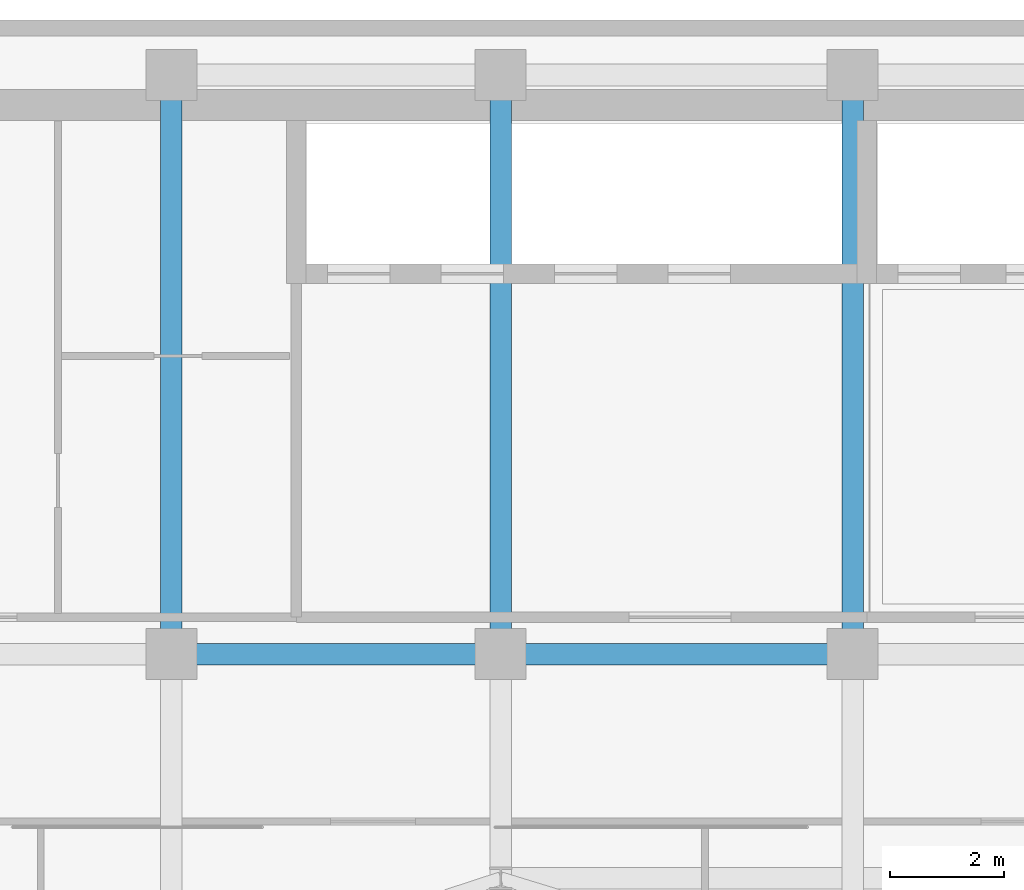
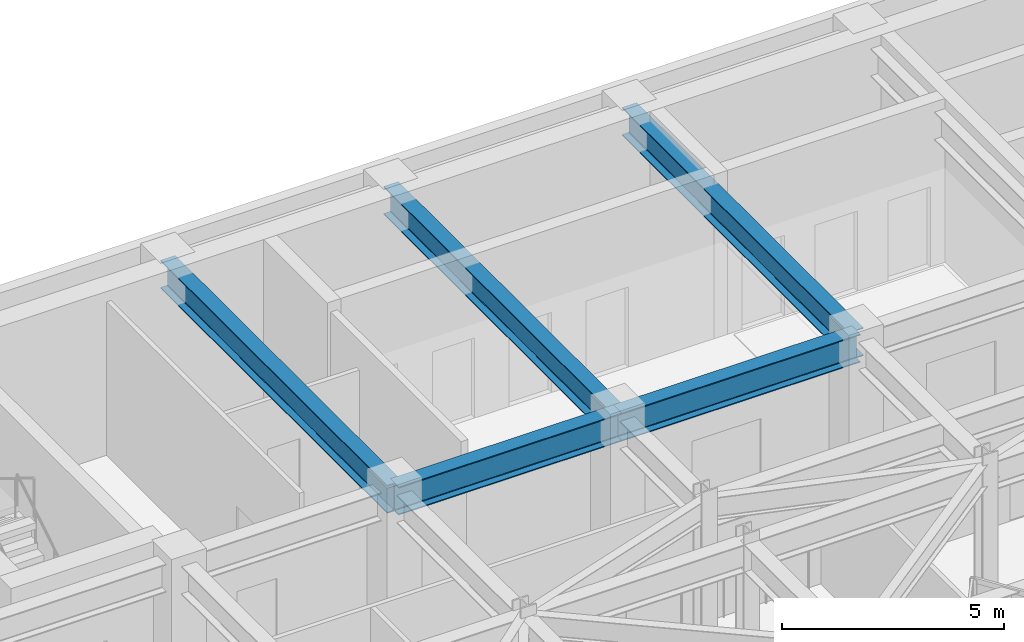
# One storey, part 13 of 25: 5 beams.
"""IFC4 building model written with IfcOpenShell, lengths in metres."""

import ifcopenshell
import ifcopenshell.guid

model = None  # the IFC model being written
_history = None  # IfcOwnerHistory: only IFC2X3 demands one
_inside = {}  # id of a spatial element -> (the spatial element, [elements in it])
_under = {}  # id of a project, library or spatial element -> (it, [spatial elements below it])
_declared = {}  # id of a project -> (the project, [libraries it declares])
_typed = {}  # id of a type object -> (the type object, [elements of that type])
_made_of = {}  # id of a material, layer set ... -> (it, [elements and type objects made of it])


def new_model(schema):
    """Start an empty IFC model of exactly this schema.

    Asked for "IFC4X3", IfcOpenShell would pick the latest addendum, in which some entities
    have other attributes; the version numbers below select the first issue.
    IFC2X3 requires an IfcOwnerHistory on every rooted entity: one is made here for all.
    """
    global model, _history
    if schema == "IFC4X3":
        model = ifcopenshell.file(schema_version=(4, 3, 0, 0))
    else:
        model = ifcopenshell.file(schema=schema)
    _inside.clear()
    _under.clear()
    _declared.clear()
    _typed.clear()
    _made_of.clear()
    _history = None
    if model.schema == "IFC2X3":
        org = make("IfcOrganization", Name="unknown")
        user = make(
            "IfcPersonAndOrganization",
            ThePerson=make("IfcPerson", FamilyName="unknown"),
            TheOrganization=org,
        )
        app = make(
            "IfcApplication",
            ApplicationDeveloper=org,
            Version="unknown",
            ApplicationFullName="unknown",
            ApplicationIdentifier="unknown",
        )
        _history = make(
            "IfcOwnerHistory",
            OwningUser=user,
            OwningApplication=app,
            ChangeAction="ADDED",
            CreationDate=0,
        )
    return model


def make(cls, **values):
    """One entity of the class cls with the attributes given. An attribute that is None is left unset."""
    return model.create_entity(
        cls, **{name: value for name, value in values.items() if value is not None}
    )


def rooted(cls, **values):
    """An entity with a GlobalId (a new one), such as an element, a storey or a relation."""
    return make(cls, GlobalId=ifcopenshell.guid.new(), OwnerHistory=_history, **values)


def si_unit(unit_type, name, prefix=None):
    """IfcSIUnit, for example si_unit("LENGTHUNIT", "METRE", prefix="MILLI")."""
    return make("IfcSIUnit", UnitType=unit_type, Prefix=prefix, Name=name)


def assignment(units):
    """IfcUnitAssignment: the units of a project."""
    return None if units is None else make("IfcUnitAssignment", Units=units)


def point(xyz):
    """IfcCartesianPoint."""
    return None if xyz is None else make("IfcCartesianPoint", Coordinates=xyz)


def direction(xyz):
    """IfcDirection."""
    return None if xyz is None else make("IfcDirection", DirectionRatios=xyz)


def frame(location, z_axis=None, x_axis=None):
    """IfcAxis2Placement3D, a coordinate frame: its origin and axes. An axis left out is left unset."""
    return make(
        "IfcAxis2Placement3D",
        Location=point(location),
        Axis=direction(z_axis),
        RefDirection=direction(x_axis),
    )


def frame_2d(location, x_axis=None):
    """IfcAxis2Placement2D, a coordinate frame in the plane: its origin and x axis."""
    return make(
        "IfcAxis2Placement2D", Location=point(location), RefDirection=direction(x_axis)
    )


def origin():
    """The frame at (0, 0, 0) with its axes left unset."""
    return frame((0.0, 0.0, 0.0))


def origin_2d():
    """The frame at (0, 0) in the plane with its x axis left unset."""
    return frame_2d((0.0, 0.0))


def place(relative_to, where):
    """IfcLocalPlacement: puts the frame where relative to a parent placement (None: the world)."""
    return make(
        "IfcLocalPlacement", PlacementRelTo=relative_to, RelativePlacement=where
    )


def context(
    kind, dimensions, precision=None, world=None, true_north=None, identifier=None
):
    """IfcGeometricRepresentationContext, for example the 3D "Model" context."""
    return make(
        "IfcGeometricRepresentationContext",
        ContextIdentifier=identifier,
        ContextType=kind,
        CoordinateSpaceDimension=dimensions,
        Precision=precision,
        WorldCoordinateSystem=world,
        TrueNorth=true_north,
    )


def subcontext(parent, identifier, kind, view, scale=None):
    """IfcGeometricRepresentationSubContext, for example "Body" below "Model"."""
    return make(
        "IfcGeometricRepresentationSubContext",
        ContextIdentifier=identifier,
        ContextType=kind,
        ParentContext=parent,
        TargetScale=scale,
        TargetView=view,
    )


def project(units=None, contexts=None):
    """IfcProject with its units and contexts."""
    return rooted(
        "IfcProject",
        Name="project",
        RepresentationContexts=contexts,
        UnitsInContext=assignment(units),
    )


def spatial(cls, under=None, at=None, **own):
    """A site, building, storey or space (cls), placed at a placement, below another one or the project."""
    s = rooted(cls, ObjectPlacement=at, **own)
    if under is not None:
        _under.setdefault(under.id(), (under, []))[1].append(s)
    return s


def profile(cls, at=None, kind="AREA", **sizes):
    """A parametric profile (cls). Its sizes go by their IFC names, for example OverallWidth=200.0."""
    return make(cls, ProfileType=kind, Position=at, **sizes)


def i_section(**sizes):
    """IfcIShapeProfileDef."""
    return profile("IfcIShapeProfileDef", **sizes)


def extrude(swept, where, along, depth):
    """IfcExtrudedAreaSolid: the profile swept, set in the frame where, extruded along a direction by depth."""
    return make(
        "IfcExtrudedAreaSolid",
        SweptArea=swept,
        Position=where,
        ExtrudedDirection=direction(along),
        Depth=depth,
    )


def shape(context_of_items, identifier, shape_type, items):
    """IfcShapeRepresentation: the items that make up one representation, for example the "Body"."""
    return make(
        "IfcShapeRepresentation",
        ContextOfItems=context_of_items,
        RepresentationIdentifier=identifier,
        RepresentationType=shape_type,
        Items=items,
    )


def material(Name=None, Category=None):
    """IfcMaterial."""
    return make("IfcMaterial", Name=Name, Category=Category)


def material_profile(
    of_material, cross_section, Name=None, Category=None, Priority=None
):
    """IfcMaterialProfile: a cross section and its material."""
    return make(
        "IfcMaterialProfile",
        Name=Name,
        Material=of_material,
        Profile=cross_section,
        Priority=Priority,
        Category=Category,
    )


def profile_set(profiles, Name=None, composite=None):
    """IfcMaterialProfileSet."""
    return make(
        "IfcMaterialProfileSet",
        Name=Name,
        MaterialProfiles=profiles,
        CompositeProfile=composite,
    )


def made_of(thing, what):
    """Note that an element or type object is made of a material, layer set ...; save() writes the relation."""
    if what is not None:
        _made_of.setdefault(what.id(), (what, []))[1].append(thing)
    return thing


def type_object(cls, material=None, **own):
    """A type object (cls), such as IfcWallType, which elements share."""
    return made_of(rooted(cls, **own), material)


def element(
    cls,
    number,
    at=None,
    inside=None,
    cuts=None,
    type_object=None,
    material=None,
    context=None,
    identifier="Body",
    shape_type=None,
    held_by="IfcProductDefinitionShape",
    body=None,
    shapes=None,
    **own,
):
    """One element of the class cls, such as IfcWall. Its Tag is "e" and its number.

    at: its placement. inside: the storey or other place that contains it. cuts: it is an
    opening in that element (IfcRelVoidsElement). A single representation is given by context,
    identifier, shape_type and body (its items); several are given by shapes. held_by: the class
    of the entity that holds the representations. save() writes the other relations.
    """
    e = rooted(cls, Tag="e%d" % number, ObjectPlacement=at, **own)
    if body is not None:
        shapes = [shape(context, identifier, shape_type, body)]
    if shapes is not None:
        e.Representation = make(held_by, Representations=shapes)
    if inside is not None:
        _inside.setdefault(inside.id(), (inside, []))[1].append(e)
    if cuts is not None:
        rooted(
            "IfcRelVoidsElement", RelatingBuildingElement=cuts, RelatedOpeningElement=e
        )
    if type_object is not None:
        _typed.setdefault(type_object.id(), (type_object, []))[1].append(e)
    return made_of(e, material)


def aggregate(whole, parts):
    """IfcRelAggregates: a whole, such as a stair, and the parts it consists of."""
    return rooted("IfcRelAggregates", RelatingObject=whole, RelatedObjects=parts)


def save(model, path):
    """Write the relations noted so far, then the file.

    IfcRelAggregates (storeys below a building ...), IfcRelContainedInSpatialStructure (elements
    in a storey), IfcRelDefinesByType, IfcRelAssociatesMaterial and IfcRelDeclares: one each for
    every whole, place, type object, material and project.
    """
    for whole, parts in _under.values():
        aggregate(whole, parts)
    for where, things in _inside.values():
        rooted(
            "IfcRelContainedInSpatialStructure",
            RelatedElements=things,
            RelatingStructure=where,
        )
    for kind, things in _typed.values():
        rooted("IfcRelDefinesByType", RelatedObjects=things, RelatingType=kind)
    for what, things in _made_of.values():
        rooted("IfcRelAssociatesMaterial", RelatedObjects=things, RelatingMaterial=what)
    for by, libraries in _declared.values():
        rooted("IfcRelDeclares", RelatingContext=by, RelatedDefinitions=libraries)
    model.write(path)


model = new_model("IFC4")

# Units and contexts
model_context = context("Model", 3, precision=1e-05, world=origin(), true_north=direction((0.0, 1.0)))
body_context = subcontext(model_context, "Body", "Model", "MODEL_VIEW")
ifc_project = project(units=[si_unit("LENGTHUNIT", "METRE"), si_unit("AREAUNIT", "SQUARE_METRE"), si_unit("VOLUMEUNIT", "CUBIC_METRE"), si_unit("PLANEANGLEUNIT", "RADIAN"), si_unit("MASSUNIT", "GRAM", prefix="KILO")], contexts=[model_context])

# Site, building, storey
site_placement = place(None, origin())
site = spatial("IfcSite", under=ifc_project, at=site_placement, CompositionType="ELEMENT")
building_placement = place(site_placement, origin())
building = spatial("IfcBuilding", under=site, at=building_placement, Name="Kravanh Interchange Tower", CompositionType="ELEMENT")
storey_placement = place(building_placement, frame((0.0, 0.0, 220.5)))
storey = spatial("IfcBuildingStorey", under=building, at=storey_placement, Name="L53", CompositionType="ELEMENT", Elevation=220.5)

# Beams
ifc_material = material(Name="Structural Steel S355", Category="steel")
ifc_material_profile = material_profile(ifc_material, i_section(OverallWidth=0.381103515625, OverallDepth=0.77294921875, WebThickness=0.0166015625, FlangeThickness=0.027099609375, FilletRadius=0.02490234375, at=origin_2d()), Name="W30X173")
ifc_profile_set = profile_set([ifc_material_profile], Name="Structural Steel S355")
beam_type = type_object("IfcBeamType", Name="Floor Beam W30X173 Structural Steel S355", PredefinedType="BEAM", material=ifc_profile_set)
beam_1_placement = place(storey_placement, frame((44.800048828125, 37.35009765625, 3.83349609375), z_axis=(-1.0, 0.0, 0.0), x_axis=(0.0, -1.0, 0.0)))
element("IfcBeam", 1, at=beam_1_placement, inside=storey, type_object=beam_type, Name="L53 Primary Floor Girder 13", PredefinedType="BEAM", context=body_context, shape_type="SweptSolid", body=[
    extrude(i_section(OverallWidth=0.381103515625, OverallDepth=0.77294921875, WebThickness=0.0166015625, FlangeThickness=0.027099609375, FilletRadius=0.02490234375, at=origin_2d()), origin(), (0.0, 0.0, 1.0), 6.199951171875),
])
beam_2_placement = place(storey_placement, frame((44.800048828125, 37.35009765625, 3.83349609375), z_axis=(0.0, 1.0, 0.0), x_axis=(-1.0, 0.0, 0.0)))
element("IfcBeam", 2, at=beam_2_placement, inside=storey, type_object=beam_type, Name="L53 Primary Floor Girder 14", PredefinedType="BEAM", context=body_context, shape_type="SweptSolid", body=[
    extrude(i_section(OverallWidth=0.381103515625, OverallDepth=0.77294921875, WebThickness=0.0166015625, FlangeThickness=0.027099609375, FilletRadius=0.02490234375, at=origin_2d()), origin(), (0.0, 0.0, 1.0), 10.199951171875),
])
beam_3_placement = place(storey_placement, frame((38.60009765625, 37.35009765625, 3.83349609375), z_axis=(-1.0, 0.0, 0.0), x_axis=(0.0, -1.0, 0.0)))
element("IfcBeam", 3, at=beam_3_placement, inside=storey, type_object=beam_type, Name="L53 Primary Floor Girder 17", PredefinedType="BEAM", context=body_context, shape_type="SweptSolid", body=[
    extrude(i_section(OverallWidth=0.381103515625, OverallDepth=0.77294921875, WebThickness=0.0166015625, FlangeThickness=0.027099609375, FilletRadius=0.02490234375, at=origin_2d()), origin(), (0.0, 0.0, 1.0), 5.800048828125),
])
for number, where, z_axis, x_axis, name in (
    (4, (38.60009765625, 37.35009765625, 3.83349609375), (0.0, 1.0, 0.0), (-1.0, 0.0, 0.0), "L53 Primary Floor Girder 18"),
    (5, (32.800048828125, 37.35009765625, 3.83349609375), (0.0, 1.0, 0.0), (-1.0, 0.0, 0.0), "L53 Primary Floor Girder 22"),
):
    element("IfcBeam", number, at=place(storey_placement, frame(where, z_axis=z_axis, x_axis=x_axis)), inside=storey, type_object=beam_type, Name=name, PredefinedType="BEAM", context=body_context, shape_type="SweptSolid", body=[
        extrude(i_section(OverallWidth=0.381103515625, OverallDepth=0.77294921875, WebThickness=0.0166015625, FlangeThickness=0.027099609375, FilletRadius=0.02490234375, at=origin_2d()), origin(), (0.0, 0.0, 1.0), 10.199951171875),
    ])

save(model, "model.ifc")
